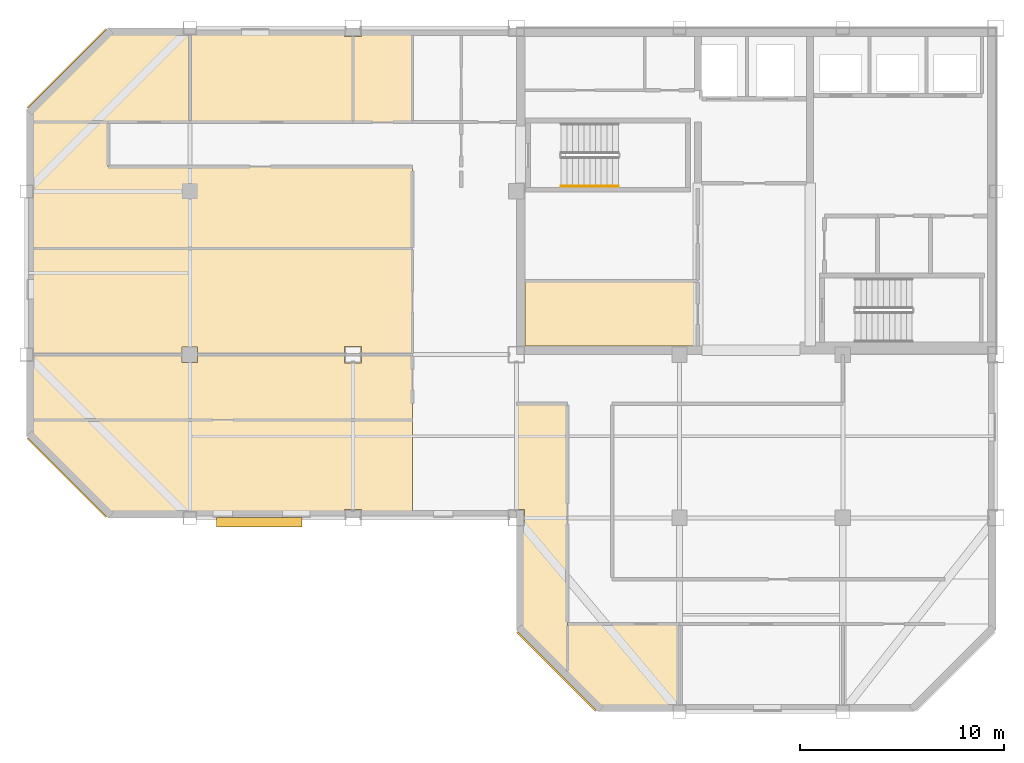
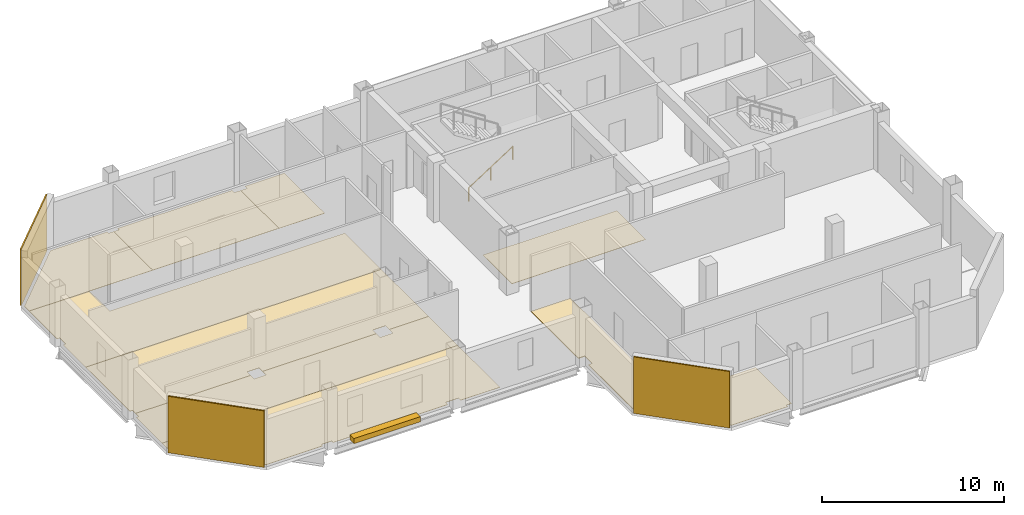
# One storey, part 5 of 7: 13 coverings, 1 railing, 1 shading device.
"""IFC4 building model written with IfcOpenShell, lengths in metres."""

from ifc_helpers import new_model, si_unit, direction, frame, origin, origin_2d, place, context, subcontext, project, spatial, polyline, rectangle, circle, outline, extrude, material, layer, layer_set, type_object, element, save


model = new_model("IFC4")

# Units and contexts
model_context = context("Model", 3, precision=1e-05, world=origin(), true_north=direction((0.0, 1.0)))
body_context = subcontext(model_context, "Body", "Model", "MODEL_VIEW")
ifc_project = project(units=[si_unit("LENGTHUNIT", "METRE"), si_unit("AREAUNIT", "SQUARE_METRE"), si_unit("VOLUMEUNIT", "CUBIC_METRE"), si_unit("PLANEANGLEUNIT", "RADIAN"), si_unit("MASSUNIT", "GRAM", prefix="KILO")], contexts=[model_context])

# Site, building, storey
site_placement = place(None, origin())
site = spatial("IfcSite", under=ifc_project, at=site_placement, CompositionType="ELEMENT")
building_placement = place(site_placement, origin())
building = spatial("IfcBuilding", under=site, at=building_placement, Name="Qianrong Seaharbour Tower", CompositionType="ELEMENT")
storey_placement = place(building_placement, frame((0.0, 0.0, 307.199951171875)))
storey = spatial("IfcBuildingStorey", under=building, at=storey_placement, Name="L74", CompositionType="ELEMENT", Elevation=307.199951171875)

# Coverings
ifc_material_1 = material(Name="Unitised red brick cladding on Precast concrete C45/55", Category="masonry")
ifc_layer_1 = layer(ifc_material_1, 0.080078125)
ifc_layer_set_1 = layer_set([ifc_layer_1], Name="Unitised red brick cladding on Precast concrete C45/55")
covering_type_1 = type_object("IfcCoveringType", Name="COV-CLAD-RED-BRICK-80", PredefinedType="CLADDING", material=ifc_layer_set_1)
for number, where, z_axis, x_axis, name in (
    (1, (18.4716796875, 29.9716796875, 0.0), (0.0, 0.0, 1.0), (-0.707106781187, 0.707106781187, 0.0), "L74 Chamfer Corner Brick Cladding 02"),
    (2, (18.4716796875, 50.0283203125, 0.0), (0.0, 0.0, 1.0), (0.707106781187, 0.707106781187, 0.0), "L74 Chamfer Corner Brick Cladding 04"),
    (3, (42.4716796875, 20.4716796875, 0.0), (0.0, 0.0, 1.0), (-0.707106781187, 0.707106781187, 0.0), "L74 Chamfer Corner Brick Cladding 09"),
):
    element("IfcCovering", number, at=place(storey_placement, frame(where, z_axis=z_axis, x_axis=x_axis)), inside=storey, type_object=covering_type_1, Name=name, PredefinedType="CLADDING", context=body_context, shape_type="SweptSolid", body=[
        extrude(rectangle(XDim=5.456787109375, YDim=0.080078125, at=origin_2d()), origin(), (0.0, 0.0, 1.0), 3.784912109375),
    ])
ifc_material_2 = material(Name="Acoustic modular carpet tile flooring")
ifc_layer_2 = layer(ifc_material_2, 0.02001953125)
ifc_layer_set_2 = layer_set([ifc_layer_2], Name="Acoustic modular carpet tile flooring")
covering_type_2 = type_object("IfcCoveringType", Name="COV-FLOOR-CARPET-20", PredefinedType="FLOORING", material=ifc_layer_set_2)
covering_1_placement = place(storey_placement, origin())
element("IfcCovering", 4, at=covering_1_placement, inside=storey, type_object=covering_type_2, Name="L74 Wellness Room Finish Flooring", PredefinedType="FLOORING", context=body_context, shape_type="SweptSolid", body=[
    extrude(outline(polyline([(49.39990234375, 39.60009765625), (49.39990234375, 36.419921875), (40.919921875, 36.419921875), (40.919921875, 39.60009765625), (49.39990234375, 39.60009765625)])), origin(), (0.0, 0.0, 1.0), 0.02001953125),
])
covering_2_placement = place(storey_placement, origin())
element("IfcCovering", 5, at=covering_2_placement, inside=storey, type_object=covering_type_2, Name="L74 Boardroom 1 Finish Flooring", PredefinedType="FLOORING", context=body_context, shape_type="SweptSolid", body=[
    extrude(outline(polyline([(16.675048828125, 47.927490234375), (20.572509765625, 51.824951171875), (24.1650390625, 51.824951171875), (24.1650390625, 51.6650390625), (24.5, 51.6650390625), (24.5, 47.39990234375), (16.675048828125, 47.39990234375), (16.675048828125, 47.927490234375)])), origin(), (0.0, 0.0, 1.0), 0.02001953125),
])
covering_3_placement = place(storey_placement, origin())
element("IfcCovering", 6, at=covering_3_placement, inside=storey, type_object=covering_type_2, Name="L74 Meeting Room 2 Finish Flooring", PredefinedType="FLOORING", context=body_context, shape_type="SweptSolid", body=[
    extrude(outline(polyline([(24.5, 51.6650390625), (24.8349609375, 51.6650390625), (24.8349609375, 51.824951171875), (32.090087890625, 51.824951171875), (32.090087890625, 51.590087890625), (32.5, 51.590087890625), (32.5, 47.39990234375), (24.5, 47.39990234375), (24.5, 51.6650390625)])), origin(), (0.0, 0.0, 1.0), 0.02001953125),
])
covering_4_placement = place(storey_placement, origin())
element("IfcCovering", 7, at=covering_4_placement, inside=storey, type_object=covering_type_2, Name="L74 Project Library 3 Finish Flooring", PredefinedType="FLOORING", context=body_context, shape_type="SweptSolid", body=[
    extrude(outline(polyline([(32.5, 51.590087890625), (32.909912109375, 51.590087890625), (32.909912109375, 51.824951171875), (35.39990234375, 51.824951171875), (35.39990234375, 47.39990234375), (32.5, 47.39990234375), (32.5, 51.590087890625)])), origin(), (0.0, 0.0, 1.0), 0.02001953125),
])
covering_5_placement = place(storey_placement, origin())
element("IfcCovering", 8, at=covering_5_placement, inside=storey, type_object=covering_type_2, Name="L74 Harbour Lecture Hall 1 Finish Flooring", PredefinedType="FLOORING", context=body_context, shape_type="SweptSolid", body=[
    extrude(outline(polyline([(32.909912109375, 28.175048828125), (32.909912109375, 28.409912109375), (32.090087890625, 28.409912109375), (32.090087890625, 28.175048828125), (24.8349609375, 28.175048828125), (24.8349609375, 28.3349609375), (24.1650390625, 28.3349609375), (24.1650390625, 28.175048828125), (20.572509765625, 28.175048828125), (16.675048828125, 32.072509765625), (16.675048828125, 32.800048828125), (35.39990234375, 32.800048828125), (35.39990234375, 28.175048828125), (32.909912109375, 28.175048828125)])), origin(), (0.0, 0.0, 1.0), 0.02001953125),
])
covering_6_placement = place(storey_placement, origin())
element("IfcCovering", 9, at=covering_6_placement, inside=storey, type_object=covering_type_2, Name="L74 Division Conference Gallery 2 Finish Flooring", PredefinedType="FLOORING", context=body_context, shape_type="SweptSolid", body=[
    extrude(outline(polyline([(16.675048828125, 32.800048828125), (16.675048828125, 35.6650390625), (16.8349609375, 35.6650390625), (16.8349609375, 36.0), (24.114990234375, 36.0), (24.114990234375, 35.614990234375), (24.885009765625, 35.614990234375), (24.885009765625, 36.0), (32.090087890625, 36.0), (32.090087890625, 35.590087890625), (32.909912109375, 35.590087890625), (32.909912109375, 36.0), (35.39990234375, 36.0), (35.39990234375, 32.800048828125), (16.675048828125, 32.800048828125)])), origin(), (0.0, 0.0, 1.0), 0.02001953125),
])
covering_7_placement = place(storey_placement, origin())
element("IfcCovering", 10, at=covering_7_placement, inside=storey, type_object=covering_type_2, Name="L74 Wet Pantry 3 Finish Flooring", PredefinedType="FLOORING", context=body_context, shape_type="SweptSolid", body=[
    extrude(outline(polyline([(32.909912109375, 36.0), (32.909912109375, 36.409912109375), (32.090087890625, 36.409912109375), (32.090087890625, 36.0), (24.885009765625, 36.0), (24.885009765625, 36.385009765625), (24.114990234375, 36.385009765625), (24.114990234375, 36.0), (16.8349609375, 36.0), (16.8349609375, 36.3349609375), (16.675048828125, 36.3349609375), (16.675048828125, 41.199951171875), (35.39990234375, 41.199951171875), (35.39990234375, 36.0), (32.909912109375, 36.0)])), origin(), (0.0, 0.0, 1.0), 0.02001953125),
])
covering_8_placement = place(storey_placement, origin())
element("IfcCovering", 11, at=covering_8_placement, inside=storey, type_object=covering_type_2, Name="L74 Harbour Lecture Hall 4 Finish Flooring", PredefinedType="FLOORING", context=body_context, shape_type="SweptSolid", body=[
    extrude(outline(polyline([(16.675048828125, 41.199951171875), (16.675048828125, 43.6650390625), (16.8349609375, 43.6650390625), (16.8349609375, 44.3349609375), (16.675048828125, 44.3349609375), (16.675048828125, 47.39990234375), (20.5, 47.39990234375), (20.5, 45.199951171875), (35.39990234375, 45.199951171875), (35.39990234375, 41.199951171875), (16.675048828125, 41.199951171875)])), origin(), (0.0, 0.0, 1.0), 0.02001953125),
])
covering_9_placement = place(storey_placement, origin())
element("IfcCovering", 12, at=covering_9_placement, inside=storey, type_object=covering_type_2, Name="L74 Maritime Seminar Room 1 Finish Flooring", PredefinedType="FLOORING", context=body_context, shape_type="SweptSolid", body=[
    extrude(outline(polyline([(48.5, 18.8349609375), (48.1650390625, 18.8349609375), (48.1650390625, 18.675048828125), (44.572509765625, 18.675048828125), (43.0, 20.24755859375), (43.0, 22.800048828125), (48.5, 22.800048828125), (48.5, 18.8349609375)])), origin(), (0.0, 0.0, 1.0), 0.02001953125),
])
ifc_material_3 = material(Name="Calcium-sulphate raised access floor tile")
ifc_layer_3 = layer(ifc_material_3, 0.044921875)
ifc_layer_set_3 = layer_set([ifc_layer_3], Name="Calcium-sulphate raised access floor tile")
covering_type_3 = type_object("IfcCoveringType", Name="COV-FLOOR-RAISED-45", PredefinedType="FLOORING", material=ifc_layer_set_3)
covering_10_placement = place(storey_placement, origin())
element("IfcCovering", 13, at=covering_10_placement, inside=storey, type_object=covering_type_3, Name="L74 West Spine Open-Plan Office Finish Flooring", PredefinedType="FLOORING", context=body_context, shape_type="SweptSolid", body=[
    extrude(outline(polyline([(43.0, 20.24755859375), (40.675048828125, 22.572509765625), (40.675048828125, 27.590087890625), (40.909912109375, 27.590087890625), (40.909912109375, 28.409912109375), (40.5, 28.409912109375), (40.5, 33.60009765625), (43.0, 33.60009765625), (43.0, 20.24755859375)])), origin(), (0.0, 0.0, 1.0), 0.045166015625),
])

# Railing
ifc_material_4 = material(Name="Stainless steel SUS316L continuous handrail", Category="steel")
railing_type = type_object("IfcRailingType", Name="RAIL-STAIR-HANDRAIL-900", PredefinedType="HANDRAIL", material=ifc_material_4)
railing_placement = place(storey_placement, frame((42.699951171875, 44.25, 0.181884765625)))
element("IfcRailing", 14, at=railing_placement, inside=storey, type_object=railing_type, Name="L74 ST-1 stair handrail 1", PredefinedType="HANDRAIL", context=body_context, shape_type="SweptSolid", body=[
    extrude(circle(Radius=0.02392578125, at=origin_2d()), frame((0.0, 0.0, 0.8759765625), z_axis=(0.838705829183, 0.0, 0.544584733623), x_axis=(0.0, 1.0, 0.0)), (0.0, 0.0, 1.0), 3.338623046875),
    extrude(circle(Radius=0.02099609375, at=origin_2d()), origin(), (0.0, 0.0, 1.0), 0.851806640625),
    extrude(circle(Radius=0.02099609375, at=origin_2d()), frame((1.39990234375, 0.0, 0.9091796875)), (0.0, 0.0, 1.0), 0.851806640625),
    extrude(circle(Radius=0.02099609375, at=origin_2d()), frame((2.800048828125, 0.0, 1.818115234375)), (0.0, 0.0, 1.0), 0.851806640625),
])

# Shading device
ifc_material_5 = material(Name="White architectural precast concrete C45/55", Category="concrete")
shading_device_type = type_object("IfcShadingDeviceType", Name="SHD-SUNSHADE-WHITE-320", PredefinedType="AWNING", material=ifc_material_5)
shading_device_placement = place(storey_placement, frame((27.89990234375, 27.780029296875, -0.02001953125), z_axis=(0.0, 0.0, 1.0), x_axis=(1.0, 0.0, 0.0)))
element("IfcShadingDevice", 15, at=shading_device_placement, inside=storey, type_object=shading_device_type, Name="L74 Climbing White Precast Ribbon Canopy Fin", PredefinedType="AWNING", context=body_context, shape_type="SweptSolid", body=[
    extrude(rectangle(XDim=4.199951171875, YDim=0.4599609375, at=origin_2d()), origin(), (0.0, 0.0, 1.0), 0.340087890625),
])

save(model, "model.ifc")
